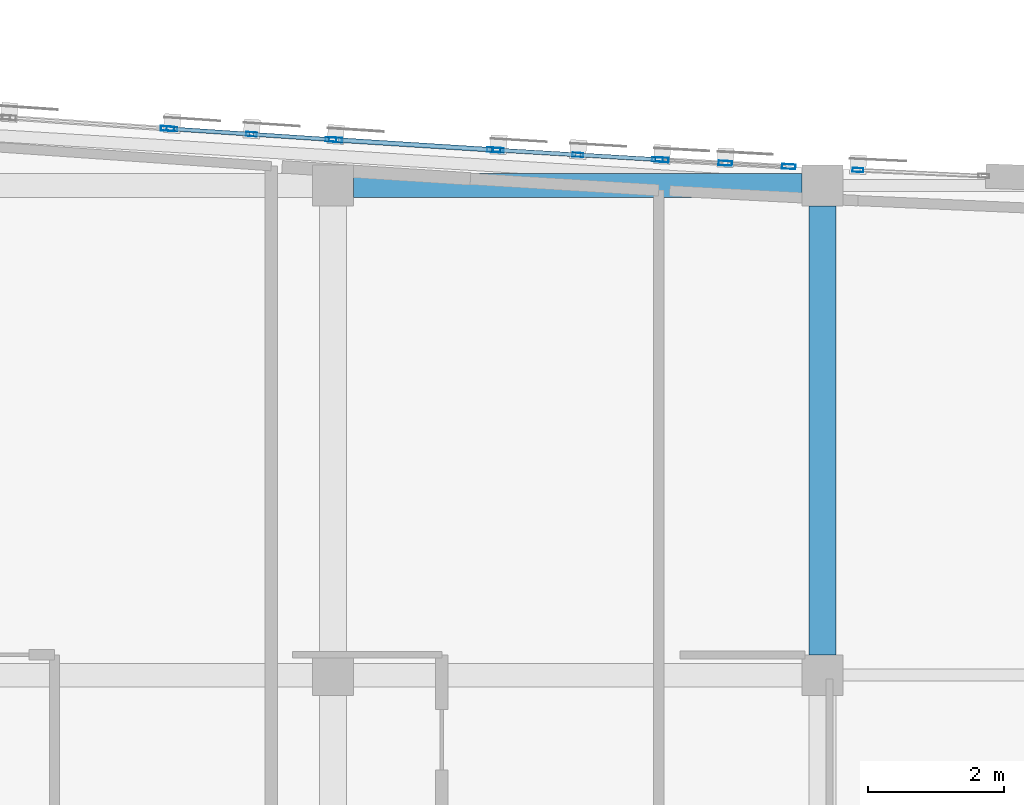
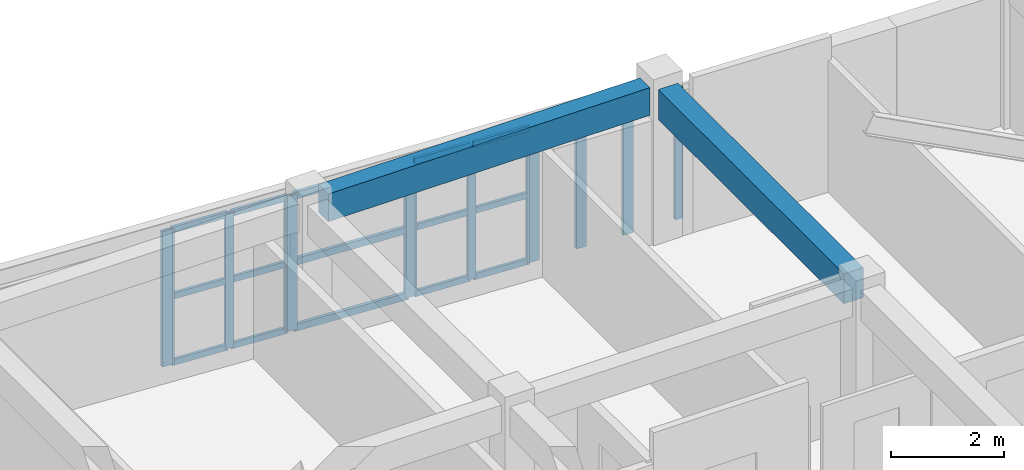
# One storey, part 28 of 51: 28 members, 2 beams, 6 elements without a shape of their own.
"""IFC4 building model written with IfcOpenShell, lengths in metres."""

from ifc_helpers import new_model, si_unit, direction, frame, origin, origin_2d, place, context, subcontext, project, spatial, rectangle, hollow_rectangle, extrude, material, layer, layer_set, material_profile, profile_set, type_object, element, aggregate, save


model = new_model("IFC4")

# Units and contexts
model_context = context("Model", 3, precision=1e-05, world=origin(), true_north=direction((0.0, 1.0)))
body_context = subcontext(model_context, "Body", "Model", "MODEL_VIEW")
ifc_project = project(units=[si_unit("LENGTHUNIT", "METRE"), si_unit("AREAUNIT", "SQUARE_METRE"), si_unit("VOLUMEUNIT", "CUBIC_METRE"), si_unit("PLANEANGLEUNIT", "RADIAN"), si_unit("MASSUNIT", "GRAM", prefix="KILO")], contexts=[model_context])

# Site, building, storey
site_placement = place(None, origin())
site = spatial("IfcSite", under=ifc_project, at=site_placement, CompositionType="ELEMENT")
building_placement = place(site_placement, origin())
building = spatial("IfcBuilding", under=site, at=building_placement, Name="Carrowvane Square Congress Hotel", CompositionType="ELEMENT")
storey_placement = place(building_placement, frame((0.0, 0.0, 30.0)))
storey = spatial("IfcBuildingStorey", under=building, at=storey_placement, Name="L07", CompositionType="ELEMENT", Elevation=30.0)

# Beams
ifc_material_1 = material(Name="Concrete C35/45", Category="concrete")
ifc_material_profile_1 = material_profile(ifc_material_1, rectangle(XDim=0.35009765625, YDim=0.60009765625, at=origin_2d()), Name="RC 350x600")
ifc_profile_set_1 = profile_set([ifc_material_profile_1], Name="Concrete C35/45")
beam_type_1 = type_object("IfcBeamType", Name="BM-RC-350x600", PredefinedType="BEAM", material=ifc_profile_set_1)
beam_1_placement = place(storey_placement, frame((148.699951171875, 113.39990234375, 3.06005859375), z_axis=(1.0, 0.0, 0.0), x_axis=(0.0, 1.0, 0.0)))
element("IfcBeam", 1, at=beam_1_placement, inside=storey, type_object=beam_type_1, Name="L08 girder R/20-21", PredefinedType="BEAM", context=body_context, shape_type="SweptSolid", body=[
    extrude(rectangle(XDim=0.35009765625, YDim=0.60009765625, at=origin_2d()), origin(), (0.0, 0.0, 1.0), 6.60009765625),
])
ifc_material_2 = material(Name="Concrete C35/45", Category="concrete")
ifc_material_profile_2 = material_profile(ifc_material_2, rectangle(XDim=0.39990234375, YDim=0.64990234375, at=origin_2d()), Name="RC 400x650")
ifc_profile_set_2 = profile_set([ifc_material_profile_2], Name="Concrete C35/45")
beam_type_2 = type_object("IfcBeamType", Name="BM-RC-400x650", PredefinedType="BEAM", material=ifc_profile_set_2)
beam_2_placement = place(storey_placement, frame((155.60009765625, 106.5, 3.034912109375), z_axis=(0.0, 1.0, 0.0), x_axis=(-1.0, 0.0, 0.0)))
element("IfcBeam", 2, at=beam_2_placement, inside=storey, type_object=beam_type_2, Name="L08 girder 21/Q-R", PredefinedType="BEAM", context=body_context, shape_type="SweptSolid", body=[
    extrude(rectangle(XDim=0.39990234375, YDim=0.64990234375, at=origin_2d()), origin(), (0.0, 0.0, 1.0), 6.60009765625),
])

# Curtain wall, members
ifc_material_3 = material(Name="Anodised aluminium", Category="aluminium")
ifc_layer_1 = layer(ifc_material_3, 0.2099609375)
ifc_layer_set_1 = layer_set([ifc_layer_1], Name="Anodised aluminium")
curtain_wall_type_1 = type_object("IfcCurtainWallType", Name="CW-SYS-5", PredefinedType="NOTDEFINED", material=ifc_layer_set_1)
curtain_wall_1_placement = place(storey_placement, origin())
curtain_wall_1 = element("IfcCurtainWall", 3, at=curtain_wall_1_placement, inside=storey, type_object=curtain_wall_type_1, Name="L07 unitised curtain wall 452", PredefinedType="NOTDEFINED")
ifc_material_4 = material(Name="Anodised aluminium", Category="aluminium")
ifc_material_profile_3 = material_profile(ifc_material_4, hollow_rectangle(XDim=0.06005859375, YDim=0.159912109375, WallThickness=0.00390625, at=origin_2d()), Name="CW-ML 60x160x4")
ifc_profile_set_3 = profile_set([ifc_material_profile_3], Name="Anodised aluminium")
member_type_1 = type_object("IfcMemberType", Name="CW-MUL-1", PredefinedType="MULLION", material=ifc_profile_set_3)
member_1_placement = place(storey_placement, frame((146.030029296875, 114.2333984375, 0.0), z_axis=(0.0, 0.0, 1.0), x_axis=(0.06657392244, 0.997781495544, 0.0)))
member_1 = element("IfcMember", 4, at=member_1_placement, type_object=member_type_1, Name="CW-5 mullion 1", PredefinedType="MULLION", context=body_context, shape_type="SweptSolid", body=[
    extrude(hollow_rectangle(XDim=0.06005859375, YDim=0.159912109375, WallThickness=0.00390625, at=origin_2d()), origin(), (0.0, 0.0, 1.0), 2.935546875),
])
member_2_placement = place(storey_placement, frame((147.199951171875, 114.155517578125, 0.0), z_axis=(0.0, 0.0, 1.0), x_axis=(0.06657392244, 0.997781495544, 0.0)))
member_2 = element("IfcMember", 5, at=member_2_placement, type_object=member_type_1, Name="CW-5 mullion 2", PredefinedType="MULLION", context=body_context, shape_type="SweptSolid", body=[
    extrude(hollow_rectangle(XDim=0.06005859375, YDim=0.159912109375, WallThickness=0.00390625, at=origin_2d()), origin(), (0.0, 0.0, 1.0), 2.935546875),
])
member_3_placement = place(storey_placement, frame((148.3701171875, 114.077392578125, 0.0), z_axis=(0.0, 0.0, 1.0), x_axis=(0.06657392244, 0.997781495544, 0.0)))
member_3 = element("IfcMember", 6, at=member_3_placement, type_object=member_type_1, Name="CW-5 mullion 3", PredefinedType="MULLION", context=body_context, shape_type="SweptSolid", body=[
    extrude(hollow_rectangle(XDim=0.06005859375, YDim=0.159912109375, WallThickness=0.00390625, at=origin_2d()), origin(), (0.0, 0.0, 1.0), 2.935546875),
])

ifc_material_5 = material(Name="Anodised aluminium", Category="aluminium")
ifc_layer_2 = layer(ifc_material_5, 0.23388671875)
ifc_layer_set_2 = layer_set([ifc_layer_2], Name="Anodised aluminium")
curtain_wall_type_2 = type_object("IfcCurtainWallType", Name="CW-SYS-7", PredefinedType="NOTDEFINED", material=ifc_layer_set_2)
curtain_wall_2_placement = place(storey_placement, origin())
curtain_wall_2 = element("IfcCurtainWall", 7, at=curtain_wall_2_placement, inside=storey, type_object=curtain_wall_type_2, Name="L07 unitised curtain wall 454", PredefinedType="NOTDEFINED")
member_4_placement = place(storey_placement, frame((150.829833984375, 113.92138671875, 0.0), z_axis=(0.0, 0.0, 1.0), x_axis=(0.058988522254, 0.99825866099, 0.0)))
member_4 = element("IfcMember", 8, at=member_4_placement, type_object=member_type_1, Name="CW-7 mullion 1", PredefinedType="MULLION", context=body_context, shape_type="SweptSolid", body=[
    extrude(hollow_rectangle(XDim=0.06005859375, YDim=0.159912109375, WallThickness=0.00390625, at=origin_2d()), origin(), (0.0, 0.0, 1.0), 2.935546875),
])
member_5_placement = place(storey_placement, frame((152.0, 113.852294921875, 0.0), z_axis=(0.0, 0.0, 1.0), x_axis=(0.058988522254, 0.99825866099, 0.0)))
member_5 = element("IfcMember", 9, at=member_5_placement, type_object=member_type_1, Name="CW-7 mullion 2", PredefinedType="MULLION", context=body_context, shape_type="SweptSolid", body=[
    extrude(hollow_rectangle(XDim=0.06005859375, YDim=0.159912109375, WallThickness=0.00390625, at=origin_2d()), origin(), (0.0, 0.0, 1.0), 2.935546875),
])
member_6_placement = place(storey_placement, frame((153.170166015625, 113.783203125, 0.0), z_axis=(0.0, 0.0, 1.0), x_axis=(0.058988522254, 0.99825866099, 0.0)))
member_6 = element("IfcMember", 10, at=member_6_placement, type_object=member_type_1, Name="CW-7 mullion 3", PredefinedType="MULLION", context=body_context, shape_type="SweptSolid", body=[
    extrude(hollow_rectangle(XDim=0.06005859375, YDim=0.159912109375, WallThickness=0.00390625, at=origin_2d()), origin(), (0.0, 0.0, 1.0), 2.935546875),
])

# Curtain wall, member
ifc_material_6 = material(Name="Anodised aluminium", Category="aluminium")
ifc_layer_3 = layer(ifc_material_6, 0.162109375)
ifc_layer_set_3 = layer_set([ifc_layer_3], Name="Anodised aluminium")
curtain_wall_type_3 = type_object("IfcCurtainWallType", Name="CW-SYS-1", PredefinedType="NOTDEFINED", material=ifc_layer_set_3)
curtain_wall_3_placement = place(storey_placement, origin())
curtain_wall_3 = element("IfcCurtainWall", 11, at=curtain_wall_3_placement, inside=storey, type_object=curtain_wall_type_3, Name="L07 unitised curtain wall 456", PredefinedType="NOTDEFINED")
member_7_placement = place(storey_placement, frame((156.11865234375, 113.628662109375, 0.0), z_axis=(0.0, 0.0, 1.0), x_axis=(0.046522035775, 0.998917263935, 0.0)))
member_7 = element("IfcMember", 12, at=member_7_placement, type_object=member_type_1, Name="CW-1 mullion 1", PredefinedType="MULLION", context=body_context, shape_type="SweptSolid", body=[
    extrude(hollow_rectangle(XDim=0.06005859375, YDim=0.159912109375, WallThickness=0.00390625, at=origin_2d()), origin(), (0.0, 0.0, 1.0), 2.8603515625),
])
aggregate(curtain_wall_3, [member_7])

ifc_material_7 = material(Name="Anodised aluminium", Category="aluminium")
ifc_layer_4 = layer(ifc_material_7, 0.197998046875)
ifc_layer_set_4 = layer_set([ifc_layer_4], Name="Anodised aluminium")
curtain_wall_type_4 = type_object("IfcCurtainWallType", Name="CW-SYS-4", PredefinedType="NOTDEFINED", material=ifc_layer_set_4)
curtain_wall_4_placement = place(storey_placement, origin())
curtain_wall_4 = element("IfcCurtainWall", 13, at=curtain_wall_4_placement, inside=storey, type_object=curtain_wall_type_4, Name="L07 unitised curtain wall 451", PredefinedType="NOTDEFINED")
ifc_material_8 = material(Name="Anodised aluminium", Category="aluminium")
ifc_material_profile_4 = material_profile(ifc_material_8, hollow_rectangle(XDim=0.070068359375, YDim=0.199951171875, WallThickness=0.0048828125, at=origin_2d()), Name="CW-ML 70x200x5")
ifc_profile_set_4 = profile_set([ifc_material_profile_4], Name="Anodised aluminium")
member_type_2 = type_object("IfcMemberType", Name="CW-MUL-2", PredefinedType="MULLION", material=ifc_profile_set_4)
member_8_placement = place(storey_placement, frame((145.965087890625, 114.23779296875, 0.0), z_axis=(0.0, 0.0, 1.0), x_axis=(0.068986120725, 0.997617619706, 0.0)))
member_8 = element("IfcMember", 14, at=member_8_placement, type_object=member_type_2, Name="CW-4 mullion 2", PredefinedType="MULLION", context=body_context, shape_type="SweptSolid", body=[
    extrude(hollow_rectangle(XDim=0.070068359375, YDim=0.199951171875, WallThickness=0.0048828125, at=origin_2d()), origin(), (0.0, 0.0, 1.0), 2.935546875),
])
aggregate(curtain_wall_4, [member_8])

# Curtain wall, members
ifc_material_9 = material(Name="Anodised aluminium", Category="aluminium")
ifc_layer_5 = layer(ifc_material_9, 0.221923828125)
ifc_layer_set_5 = layer_set([ifc_layer_5], Name="Anodised aluminium")
curtain_wall_type_5 = type_object("IfcCurtainWallType", Name="CW-SYS-6", PredefinedType="NOTDEFINED", material=ifc_layer_set_5)
curtain_wall_5_placement = place(storey_placement, origin())
curtain_wall_5 = element("IfcCurtainWall", 15, at=curtain_wall_5_placement, inside=storey, type_object=curtain_wall_type_5, Name="L07 unitised curtain wall 453", PredefinedType="NOTDEFINED")
member_9_placement = place(storey_placement, frame((148.434814453125, 114.0732421875, 0.0), z_axis=(0.0, 0.0, 1.0), x_axis=(0.063273487972, 0.997996225303, 0.0)))
member_9 = element("IfcMember", 16, at=member_9_placement, type_object=member_type_2, Name="CW-6 mullion 1", PredefinedType="MULLION", context=body_context, shape_type="SweptSolid", body=[
    extrude(hollow_rectangle(XDim=0.070068359375, YDim=0.199951171875, WallThickness=0.0048828125, at=origin_2d()), origin(), (0.0, 0.0, 1.0), 2.935546875),
])
member_10_placement = place(storey_placement, frame((150.76513671875, 113.92529296875, 0.0), z_axis=(0.0, 0.0, 1.0), x_axis=(0.063273487972, 0.997996225303, 0.0)))
member_10 = element("IfcMember", 17, at=member_10_placement, type_object=member_type_2, Name="CW-6 mullion 2", PredefinedType="MULLION", context=body_context, shape_type="SweptSolid", body=[
    extrude(hollow_rectangle(XDim=0.070068359375, YDim=0.199951171875, WallThickness=0.0048828125, at=origin_2d()), origin(), (0.0, 0.0, 1.0), 2.935546875),
])

ifc_material_10 = material(Name="Anodised aluminium", Category="aluminium")
ifc_layer_6 = layer(ifc_material_10, 0.24609375)
ifc_layer_set_6 = layer_set([ifc_layer_6], Name="Anodised aluminium")
curtain_wall_type_6 = type_object("IfcCurtainWallType", Name="CW-SYS-8", PredefinedType="NOTDEFINED", material=ifc_layer_set_6)
curtain_wall_6_placement = place(storey_placement, origin())
curtain_wall_6 = element("IfcCurtainWall", 18, at=curtain_wall_6_placement, inside=storey, type_object=curtain_wall_type_6, Name="L07 unitised curtain wall 455", PredefinedType="NOTDEFINED")
member_11_placement = place(storey_placement, frame((153.23486328125, 113.779541015625, 0.0), z_axis=(0.0, 0.0, 1.0), x_axis=(0.053516203185, 0.998566981227, 0.0)))
member_11 = element("IfcMember", 19, at=member_11_placement, type_object=member_type_2, Name="CW-8 mullion 1", PredefinedType="MULLION", context=body_context, shape_type="SweptSolid", body=[
    extrude(hollow_rectangle(XDim=0.070068359375, YDim=0.199951171875, WallThickness=0.0048828125, at=origin_2d()), origin(), (0.0, 0.0, 1.0), 2.7451171875),
])
member_12_placement = place(storey_placement, frame((154.16845703125, 113.7294921875, 0.0), z_axis=(0.0, 0.0, 1.0), x_axis=(0.053516203185, 0.998566981227, 0.0)))
member_12 = element("IfcMember", 20, at=member_12_placement, type_object=member_type_2, Name="CW-8 mullion 2", PredefinedType="MULLION", context=body_context, shape_type="SweptSolid", body=[
    extrude(hollow_rectangle(XDim=0.070068359375, YDim=0.199951171875, WallThickness=0.0048828125, at=origin_2d()), origin(), (0.0, 0.0, 1.0), 2.7451171875),
])
member_13_placement = place(storey_placement, frame((155.101806640625, 113.679443359375, 0.0), z_axis=(0.0, 0.0, 1.0), x_axis=(0.053516203185, 0.998566981227, 0.0)))
member_13 = element("IfcMember", 21, at=member_13_placement, type_object=member_type_2, Name="CW-8 mullion 3", PredefinedType="MULLION", context=body_context, shape_type="SweptSolid", body=[
    extrude(hollow_rectangle(XDim=0.070068359375, YDim=0.199951171875, WallThickness=0.0048828125, at=origin_2d()), origin(), (0.0, 0.0, 1.0), 2.7451171875),
])
aggregate(curtain_wall_6, [member_11, member_12, member_13])

# Member
ifc_material_11 = material(Name="Anodised aluminium", Category="aluminium")
ifc_material_profile_5 = material_profile(ifc_material_11, hollow_rectangle(XDim=0.06005859375, YDim=0.1298828125, WallThickness=0.00390625, at=origin_2d()), Name="CW-TR 60x130x4")
ifc_profile_set_5 = profile_set([ifc_material_profile_5], Name="Anodised aluminium")
member_type_3 = type_object("IfcMemberType", Name="CW-TRN-1", PredefinedType="USERDEFINED", material=ifc_profile_set_5)
member_14_placement = place(storey_placement, frame((146.059814453125, 114.2314453125, 0.030029296875), z_axis=(0.997788069164, -0.066475326508, 0.0), x_axis=(0.066475326508, 0.997788069164, 0.0)))
member_14 = element("IfcMember", 22, at=member_14_placement, type_object=member_type_3, Name="CW-5 transom 1.1", ObjectType="TRANSOM", PredefinedType="USERDEFINED", context=body_context, shape_type="SweptSolid", body=[
    extrude(hollow_rectangle(XDim=0.06005859375, YDim=0.1298828125, WallThickness=0.00390625, at=origin_2d()), origin(), (0.0, 0.0, 1.0), 1.11279296875),
])

member_15_placement = place(storey_placement, frame((146.059814453125, 114.2314453125, 1.4677734375), z_axis=(0.997788069164, -0.066475326508, 0.0), x_axis=(0.066475326508, 0.997788069164, 0.0)))
member_15 = element("IfcMember", 23, at=member_15_placement, type_object=member_type_3, Name="CW-5 transom 1.2", ObjectType="TRANSOM", PredefinedType="USERDEFINED", context=body_context, shape_type="SweptSolid", body=[
    extrude(hollow_rectangle(XDim=0.06005859375, YDim=0.1298828125, WallThickness=0.00390625, at=origin_2d()), origin(), (0.0, 0.0, 1.0), 1.11279296875),
])

member_16_placement = place(storey_placement, frame((146.059814453125, 114.2314453125, 2.905517578125), z_axis=(0.997788069164, -0.066475326508, 0.0), x_axis=(0.066475326508, 0.997788069164, 0.0)))
member_16 = element("IfcMember", 24, at=member_16_placement, type_object=member_type_3, Name="CW-5 transom 1.3", ObjectType="TRANSOM", PredefinedType="USERDEFINED", context=body_context, shape_type="SweptSolid", body=[
    extrude(hollow_rectangle(XDim=0.06005859375, YDim=0.1298828125, WallThickness=0.00390625, at=origin_2d()), origin(), (0.0, 0.0, 1.0), 1.11279296875),
])

member_17_placement = place(storey_placement, frame((147.22998046875, 114.1533203125, 0.030029296875), z_axis=(0.997787099366, -0.066489881484, 0.0), x_axis=(0.066489881484, 0.997787099366, 0.0)))
member_17 = element("IfcMember", 25, at=member_17_placement, type_object=member_type_3, Name="CW-5 transom 2.1", ObjectType="TRANSOM", PredefinedType="USERDEFINED", context=body_context, shape_type="SweptSolid", body=[
    extrude(hollow_rectangle(XDim=0.06005859375, YDim=0.1298828125, WallThickness=0.00390625, at=origin_2d()), origin(), (0.0, 0.0, 1.0), 1.112548828125),
])

member_18_placement = place(storey_placement, frame((147.22998046875, 114.1533203125, 1.4677734375), z_axis=(0.997787099366, -0.066489881484, 0.0), x_axis=(0.066489881484, 0.997787099366, 0.0)))
member_18 = element("IfcMember", 26, at=member_18_placement, type_object=member_type_3, Name="CW-5 transom 2.2", ObjectType="TRANSOM", PredefinedType="USERDEFINED", context=body_context, shape_type="SweptSolid", body=[
    extrude(hollow_rectangle(XDim=0.06005859375, YDim=0.1298828125, WallThickness=0.00390625, at=origin_2d()), origin(), (0.0, 0.0, 1.0), 1.112548828125),
])

member_19_placement = place(storey_placement, frame((147.22998046875, 114.1533203125, 2.905517578125), z_axis=(0.997787099366, -0.066489881484, 0.0), x_axis=(0.066489881484, 0.997787099366, 0.0)))
member_19 = element("IfcMember", 27, at=member_19_placement, type_object=member_type_3, Name="CW-5 transom 2.3", ObjectType="TRANSOM", PredefinedType="USERDEFINED", context=body_context, shape_type="SweptSolid", body=[
    extrude(hollow_rectangle(XDim=0.06005859375, YDim=0.1298828125, WallThickness=0.00390625, at=origin_2d()), origin(), (0.0, 0.0, 1.0), 1.112548828125),
])

aggregate(curtain_wall_1, [member_1, member_2, member_3, member_14, member_15, member_16, member_17, member_18, member_19])

member_20_placement = place(storey_placement, frame((150.85986328125, 113.919677734375, 0.030029296875), z_axis=(0.998254634076, -0.05905662999, 0.0), x_axis=(0.05905662999, 0.998254634076, 0.0)))
member_20 = element("IfcMember", 28, at=member_20_placement, type_object=member_type_3, Name="CW-7 transom 1.1", ObjectType="TRANSOM", PredefinedType="USERDEFINED", context=body_context, shape_type="SweptSolid", body=[
    extrude(hollow_rectangle(XDim=0.06005859375, YDim=0.1298828125, WallThickness=0.00390625, at=origin_2d()), origin(), (0.0, 0.0, 1.0), 1.112060546875),
])

member_21_placement = place(storey_placement, frame((150.85986328125, 113.919677734375, 1.4677734375), z_axis=(0.998254634076, -0.05905662999, 0.0), x_axis=(0.05905662999, 0.998254634076, 0.0)))
member_21 = element("IfcMember", 29, at=member_21_placement, type_object=member_type_3, Name="CW-7 transom 1.2", ObjectType="TRANSOM", PredefinedType="USERDEFINED", context=body_context, shape_type="SweptSolid", body=[
    extrude(hollow_rectangle(XDim=0.06005859375, YDim=0.1298828125, WallThickness=0.00390625, at=origin_2d()), origin(), (0.0, 0.0, 1.0), 1.112060546875),
])

member_22_placement = place(storey_placement, frame((150.85986328125, 113.919677734375, 2.905517578125), z_axis=(0.998254634076, -0.05905662999, 0.0), x_axis=(0.05905662999, 0.998254634076, 0.0)))
member_22 = element("IfcMember", 30, at=member_22_placement, type_object=member_type_3, Name="CW-7 transom 1.3", ObjectType="TRANSOM", PredefinedType="USERDEFINED", context=body_context, shape_type="SweptSolid", body=[
    extrude(hollow_rectangle(XDim=0.06005859375, YDim=0.1298828125, WallThickness=0.00390625, at=origin_2d()), origin(), (0.0, 0.0, 1.0), 1.112060546875),
])

member_23_placement = place(storey_placement, frame((152.030029296875, 113.8505859375, 0.030029296875), z_axis=(0.998254634076, -0.05905662999, 0.0), x_axis=(0.05905662999, 0.998254634076, 0.0)))
member_23 = element("IfcMember", 31, at=member_23_placement, type_object=member_type_3, Name="CW-7 transom 2.1", ObjectType="TRANSOM", PredefinedType="USERDEFINED", context=body_context, shape_type="SweptSolid", body=[
    extrude(hollow_rectangle(XDim=0.06005859375, YDim=0.1298828125, WallThickness=0.00390625, at=origin_2d()), origin(), (0.0, 0.0, 1.0), 1.112060546875),
])

member_24_placement = place(storey_placement, frame((152.030029296875, 113.8505859375, 1.4677734375), z_axis=(0.998254634076, -0.05905662999, 0.0), x_axis=(0.05905662999, 0.998254634076, 0.0)))
member_24 = element("IfcMember", 32, at=member_24_placement, type_object=member_type_3, Name="CW-7 transom 2.2", ObjectType="TRANSOM", PredefinedType="USERDEFINED", context=body_context, shape_type="SweptSolid", body=[
    extrude(hollow_rectangle(XDim=0.06005859375, YDim=0.1298828125, WallThickness=0.00390625, at=origin_2d()), origin(), (0.0, 0.0, 1.0), 1.112060546875),
])

member_25_placement = place(storey_placement, frame((152.030029296875, 113.8505859375, 2.905517578125), z_axis=(0.998254634076, -0.05905662999, 0.0), x_axis=(0.05905662999, 0.998254634076, 0.0)))
member_25 = element("IfcMember", 33, at=member_25_placement, type_object=member_type_3, Name="CW-7 transom 2.3", ObjectType="TRANSOM", PredefinedType="USERDEFINED", context=body_context, shape_type="SweptSolid", body=[
    extrude(hollow_rectangle(XDim=0.06005859375, YDim=0.1298828125, WallThickness=0.00390625, at=origin_2d()), origin(), (0.0, 0.0, 1.0), 1.112060546875),
])

aggregate(curtain_wall_2, [member_4, member_5, member_6, member_20, member_21, member_22, member_23, member_24, member_25])

ifc_material_12 = material(Name="Anodised aluminium", Category="aluminium")
ifc_material_profile_6 = material_profile(ifc_material_12, hollow_rectangle(XDim=0.070068359375, YDim=0.14990234375, WallThickness=0.0048828125, at=origin_2d()), Name="CW-TR 70x150x5")
ifc_profile_set_6 = profile_set([ifc_material_profile_6], Name="Anodised aluminium")
member_type_4 = type_object("IfcMemberType", Name="CW-TRN-2", PredefinedType="USERDEFINED", material=ifc_profile_set_6)
member_26_placement = place(storey_placement, frame((148.469970703125, 114.07080078125, 0.034912109375), z_axis=(0.997995967248, -0.063277558088, 0.0), x_axis=(0.063277558088, 0.997995967248, 0.0)))
member_26 = element("IfcMember", 34, at=member_26_placement, type_object=member_type_4, Name="CW-6 transom 1.1", ObjectType="TRANSOM", PredefinedType="USERDEFINED", context=body_context, shape_type="SweptSolid", body=[
    extrude(hollow_rectangle(XDim=0.070068359375, YDim=0.14990234375, WallThickness=0.0048828125, at=origin_2d()), origin(), (0.0, 0.0, 1.0), 2.264892578125),
])

member_27_placement = place(storey_placement, frame((148.469970703125, 114.07080078125, 1.4677734375), z_axis=(0.997995967248, -0.063277558088, 0.0), x_axis=(0.063277558088, 0.997995967248, 0.0)))
member_27 = element("IfcMember", 35, at=member_27_placement, type_object=member_type_4, Name="CW-6 transom 1.2", ObjectType="TRANSOM", PredefinedType="USERDEFINED", context=body_context, shape_type="SweptSolid", body=[
    extrude(hollow_rectangle(XDim=0.070068359375, YDim=0.14990234375, WallThickness=0.0048828125, at=origin_2d()), origin(), (0.0, 0.0, 1.0), 2.264892578125),
])

member_28_placement = place(storey_placement, frame((148.469970703125, 114.07080078125, 2.900634765625), z_axis=(0.997995967248, -0.063277558088, 0.0), x_axis=(0.063277558088, 0.997995967248, 0.0)))
member_28 = element("IfcMember", 36, at=member_28_placement, type_object=member_type_4, Name="CW-6 transom 1.3", ObjectType="TRANSOM", PredefinedType="USERDEFINED", context=body_context, shape_type="SweptSolid", body=[
    extrude(hollow_rectangle(XDim=0.070068359375, YDim=0.14990234375, WallThickness=0.0048828125, at=origin_2d()), origin(), (0.0, 0.0, 1.0), 2.264892578125),
])

aggregate(curtain_wall_5, [member_9, member_10, member_26, member_27, member_28])

save(model, "model.ifc")
